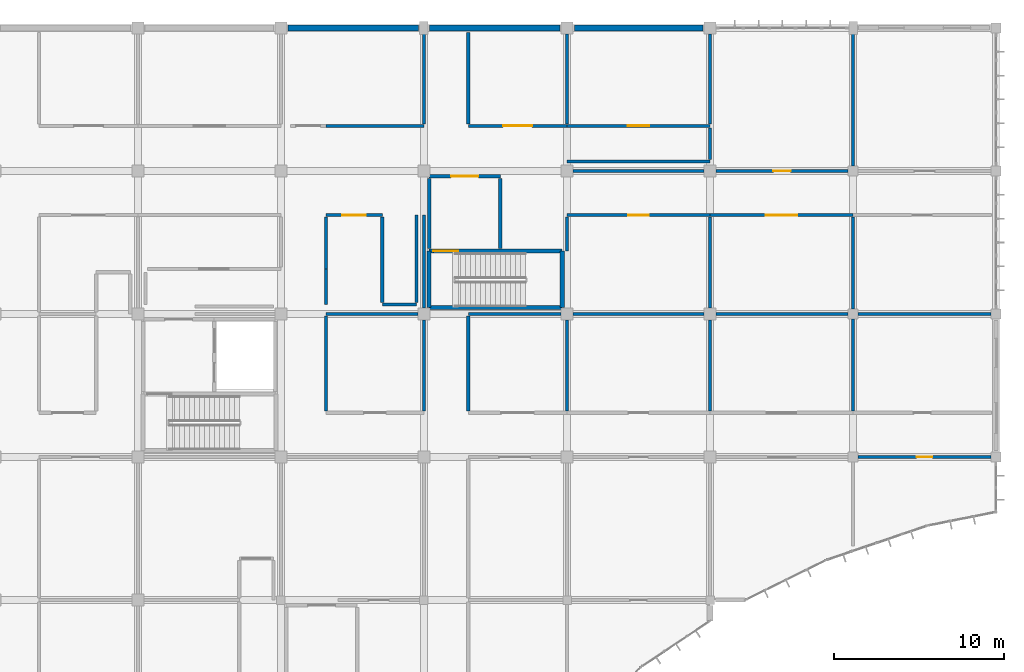
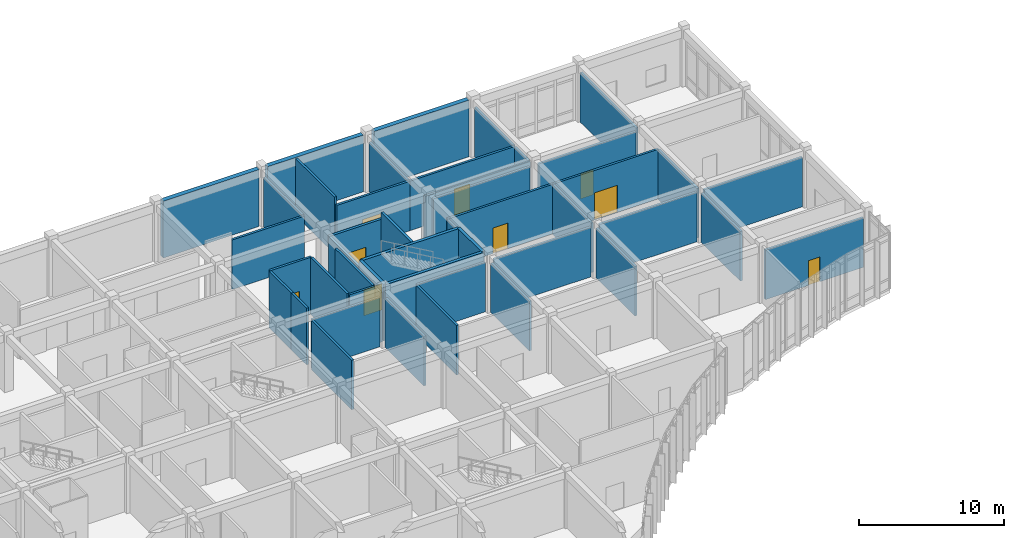
# One storey, part 111 of 134: 46 walls, 9 doors, 9 openings.
"""IFC4 building model written with IfcOpenShell, lengths in metres."""

from ifc_helpers import new_model, si_unit, direction, frame, frame_2d, origin, place, context, subcontext, project, spatial, rectangle, extrude, material, layer, layer_set, type_object, element, fill, save


model = new_model("IFC4")

# Units and contexts
model_context = context("Model", 3, precision=1e-05, world=origin(), true_north=direction((0.0, 1.0)))
body_context = subcontext(model_context, "Body", "Model", "MODEL_VIEW")
ifc_project = project(units=[si_unit("LENGTHUNIT", "METRE"), si_unit("AREAUNIT", "SQUARE_METRE"), si_unit("VOLUMEUNIT", "CUBIC_METRE"), si_unit("PLANEANGLEUNIT", "RADIAN"), si_unit("MASSUNIT", "GRAM", prefix="KILO")], contexts=[model_context])

# Site, building, storey
site_placement = place(None, origin())
site = spatial("IfcSite", under=ifc_project, at=site_placement, CompositionType="ELEMENT")
building_placement = place(site_placement, origin())
building = spatial("IfcBuilding", under=site, at=building_placement, Name="Bramfleet General Hospital", CompositionType="ELEMENT")
storey_placement = place(building_placement, frame((0.0, 0.0, 9.300048828125)))
storey = spatial("IfcBuildingStorey", under=building, at=storey_placement, Name="L02", CompositionType="ELEMENT", Elevation=9.300048828125)

# Walls
ifc_material_1 = material(Name="Concrete C35/45", Category="concrete")
ifc_layer_1 = layer(ifc_material_1, 0.360107421875, Name="WT-EW-02")
ifc_layer_set_1 = layer_set([ifc_layer_1], Name="Concrete C35/45")
wall_type_1 = type_object("IfcWallType", Name="WT-EW-02", PredefinedType="SOLIDWALL", material=ifc_layer_set_1)
for number, where, z_axis, x_axis, name in (
    (1, (126.425048828125, 117.60009765625, 0.0), (0.0, 0.0, 1.0), (1.0, 0.0, 0.0), "L02 North REI 90-M Party Wall 212"),
    (2, (134.72509765625, 117.60009765625, 0.0), (0.0, 0.0, 1.0), (1.0, 0.0, 0.0), "L02 North REI 90-M Party Wall 213"),
):
    element("IfcWall", number, at=place(storey_placement, frame(where, z_axis=z_axis, x_axis=x_axis)), inside=storey, type_object=wall_type_1, Name=name, PredefinedType="SOLIDWALL", context=body_context, shape_type="SweptSolid", body=[
        extrude(rectangle(XDim=7.64990234375, YDim=0.360107421875, at=frame_2d((3.824951171875, 0.0))), origin(), (0.0, 0.0, 1.0), 4.780029296875),
    ])
wall_1_placement = place(storey_placement, frame((143.22509765625, 117.60009765625, 0.0), z_axis=(0.0, 0.0, 1.0), x_axis=(1.0, 0.0, 0.0)))
element("IfcWall", 3, at=wall_1_placement, inside=storey, type_object=wall_type_1, Name="L02 North REI 90-M Party Wall 214", PredefinedType="SOLIDWALL", context=body_context, shape_type="SweptSolid", body=[
    extrude(rectangle(XDim=7.5498046875, YDim=0.360107421875, at=frame_2d((3.77490234375, 0.0))), origin(), (0.0, 0.0, 1.0), 4.780029296875),
])
ifc_layer_2 = layer(ifc_material_1, 0.205078125, Name="WT-IW-02")
ifc_layer_set_2 = layer_set([ifc_layer_2], Name="Concrete C35/45")
wall_type_2 = type_object("IfcWallType", Name="WT-IW-02", PredefinedType="PARTITIONING", material=ifc_layer_set_2)
wall_2_placement = place(storey_placement, frame((138.8798828125, 104.639892578125, 0.0), z_axis=(0.0, 0.0, 1.0), x_axis=(0.0, 1.0, 0.0)))
element("IfcWall", 4, at=wall_2_placement, inside=storey, type_object=wall_type_2, Name="L02 C9 Lobby East Shaft Wall", PredefinedType="PARTITIONING", context=body_context, shape_type="SweptSolid", body=[
    extrude(rectangle(XDim=4.1201171875, YDim=0.205078125, at=frame_2d((2.06005859375, 0.0))), origin(), (0.0, 0.0, 1.0), 4.77001953125),
])
wall_3_placement = place(storey_placement, frame((134.699951171875, 104.639892578125, 0.0), z_axis=(0.0, 0.0, 1.0), x_axis=(0.0, 1.0, 0.0)))
element("IfcWall", 5, at=wall_3_placement, inside=storey, type_object=wall_type_2, Name="L02 C9 Lobby West Compartment Wall", PredefinedType="PARTITIONING", context=body_context, shape_type="SweptSolid", body=[
    extrude(rectangle(XDim=4.1201171875, YDim=0.205078125, at=frame_2d((2.06005859375, 0.0))), origin(), (0.0, 0.0, 1.0), 4.169921875),
])

# Wall, opening, door
wall_4_placement = place(storey_placement, frame((134.699951171875, 108.8798828125, 0.0), z_axis=(0.0, 0.0, 1.0), x_axis=(1.0, 0.0, 0.0)))
wall_4 = element("IfcWall", 6, at=wall_4_placement, inside=storey, type_object=wall_type_2, Name="L02 C9 Lobby North Compartment Wall", PredefinedType="PARTITIONING", context=body_context, shape_type="SweptSolid", body=[
    extrude(rectangle(XDim=4.179931640625, YDim=0.205078125, at=frame_2d((2.08984375, 0.0))), origin(), (0.0, 0.0, 1.0), 4.169921875),
])
opening_1_placement = place(wall_4_placement, frame((1.2900390625, 0.0, 0.0)))
opening_1 = element("IfcOpeningElement", 7, at=opening_1_placement, cuts=wall_4, Name="Opening D0114", PredefinedType="OPENING", context=body_context, shape_type="SweptSolid", body=[
    extrude(rectangle(XDim=1.60009765625, YDim=2.25, at=frame_2d((0.800048828125, 1.125))), frame((0.0, 0.112548828125, 0.0), z_axis=(0.0, -1.0, 0.0), x_axis=(1.0, 0.0, 0.0)), (0.0, 0.0, 1.0), 0.22509765625),
])
ifc_material_2 = material(Name="Stainless steel and acoustic timber leaf", Category="steel")
door_type_1 = type_object("IfcDoorType", Name="DR-D-04", OperationType="NOTDEFINED", PredefinedType="DOOR", material=ifc_material_2)
door_1_placement = place(opening_1_placement, origin())
door_1 = element("IfcDoor", 8, at=door_1_placement, inside=storey, type_object=door_type_1, Name="L02 C9 Lobby Fire Door D0114", OperationType="DOUBLE_SWING_LEFT", OverallHeight=2.25, OverallWidth=1.60009765625, PredefinedType="DOOR", context=body_context, shape_type="SweptSolid", body=[
    extrude(rectangle(XDim=1.60009765625, YDim=2.25, at=frame_2d((0.800048828125, 1.125))), frame((0.0, 0.02490234375, 0.0), z_axis=(0.0, -1.0, 0.0), x_axis=(1.0, 0.0, 0.0)), (0.0, 0.0, 1.0), 0.050048828125),
])
fill(opening_1, door_1)

ifc_layer_3 = layer(ifc_material_1, 0.179931640625, Name="WT-IW-04")
ifc_layer_set_3 = layer_set([ifc_layer_3], Name="Concrete C35/45")
wall_type_3 = type_object("IfcWallType", Name="WT-IW-04", PredefinedType="PARTITIONING", material=ifc_layer_set_3)
wall_5_placement = place(storey_placement, frame((159.89501953125, 92.39990234375, 0.0), z_axis=(0.0, 0.0, 1.0), x_axis=(1.0, 0.0, 0.0)))
wall_5 = element("IfcWall", 9, at=wall_5_placement, inside=storey, type_object=wall_type_3, Name="L02 Interior Partition IW-L02-2094", PredefinedType="PARTITIONING", context=body_context, shape_type="SweptSolid", body=[
    extrude(rectangle(XDim=7.81005859375, YDim=0.179931640625, at=frame_2d((3.905029296875, 0.0))), origin(), (0.0, 0.0, 1.0), 4.169921875),
])
opening_2_placement = place(wall_5_placement, frame((3.445068359375, 0.0, 0.0)))
opening_2 = element("IfcOpeningElement", 10, at=opening_2_placement, cuts=wall_5, Name="Opening D1017", PredefinedType="OPENING", context=body_context, shape_type="SweptSolid", body=[
    extrude(rectangle(XDim=0.919921875, YDim=2.080078125, at=frame_2d((0.4599609375, 1.0400390625))), frame((0.0, 0.099853515625, 0.0), z_axis=(0.0, -1.0, 0.0), x_axis=(1.0, 0.0, 0.0)), (0.0, 0.0, 1.0), 0.199951171875),
])
door_type_2 = type_object("IfcDoorType", Name="DR-D-25", OperationType="NOTDEFINED", PredefinedType="DOOR", material=ifc_material_2)
door_2_placement = place(opening_2_placement, origin())
door_2 = element("IfcDoor", 11, at=door_2_placement, inside=storey, type_object=door_type_2, Name="Interventional Cardiology Cath Lab L02-1910 Door D1017", OperationType="SINGLE_SWING_RIGHT", OverallHeight=2.080078125, OverallWidth=0.919921875, PredefinedType="DOOR", context=body_context, shape_type="SweptSolid", body=[
    extrude(rectangle(XDim=0.919921875, YDim=2.080078125, at=frame_2d((0.4599609375, 1.0400390625))), frame((0.0, 0.02490234375, 0.0), z_axis=(0.0, -1.0, 0.0), x_axis=(1.0, 0.0, 0.0)), (0.0, 0.0, 1.0), 0.050048828125),
])
fill(opening_2, door_2)

# Walls
wall_6_placement = place(storey_placement, frame((128.64990234375, 100.800048828125, 0.0), z_axis=(0.0, 0.0, 1.0), x_axis=(1.0, 0.0, 0.0)))
element("IfcWall", 12, at=wall_6_placement, inside=storey, type_object=wall_type_3, Name="L02 Interior Partition IW-L02-2130", PredefinedType="PARTITIONING", context=body_context, shape_type="SweptSolid", body=[
    extrude(rectangle(XDim=5.405029296875, YDim=0.179931640625, at=frame_2d((2.70263671875, 0.0))), origin(), (0.0, 0.0, 1.0), 4.169921875),
])
wall_7_placement = place(storey_placement, frame((137.0, 100.800048828125, 0.0), z_axis=(0.0, 0.0, 1.0), x_axis=(1.0, 0.0, 0.0)))
element("IfcWall", 13, at=wall_7_placement, inside=storey, type_object=wall_type_3, Name="L02 Interior Partition IW-L02-2131", PredefinedType="PARTITIONING", context=body_context, shape_type="SweptSolid", body=[
    extrude(rectangle(XDim=5.455078125, YDim=0.179931640625, at=frame_2d((2.7275390625, 0.0))), origin(), (0.0, 0.0, 1.0), 4.169921875),
])
wall_8_placement = place(storey_placement, frame((143.14501953125, 100.800048828125, 0.0), z_axis=(0.0, 0.0, 1.0), x_axis=(1.0, 0.0, 0.0)))
element("IfcWall", 14, at=wall_8_placement, inside=storey, type_object=wall_type_3, Name="L02 Interior Partition IW-L02-2132", PredefinedType="PARTITIONING", context=body_context, shape_type="SweptSolid", body=[
    extrude(rectangle(XDim=7.7099609375, YDim=0.179931640625, at=frame_2d((3.85498046875, 0.0))), origin(), (0.0, 0.0, 1.0), 4.169921875),
])
wall_9_placement = place(storey_placement, frame((151.544921875, 100.800048828125, 0.0), z_axis=(0.0, 0.0, 1.0), x_axis=(1.0, 0.0, 0.0)))
element("IfcWall", 15, at=wall_9_placement, inside=storey, type_object=wall_type_3, Name="L02 Interior Partition IW-L02-2133", PredefinedType="PARTITIONING", context=body_context, shape_type="SweptSolid", body=[
    extrude(rectangle(XDim=7.760009765625, YDim=0.179931640625, at=frame_2d((3.8798828125, 0.0))), origin(), (0.0, 0.0, 1.0), 4.169921875),
])
wall_10_placement = place(storey_placement, frame((159.89501953125, 100.800048828125, 0.0), z_axis=(0.0, 0.0, 1.0), x_axis=(1.0, 0.0, 0.0)))
element("IfcWall", 16, at=wall_10_placement, inside=storey, type_object=wall_type_3, Name="L02 Interior Partition IW-L02-2134", PredefinedType="PARTITIONING", context=body_context, shape_type="SweptSolid", body=[
    extrude(rectangle(XDim=7.81005859375, YDim=0.179931640625, at=frame_2d((3.905029296875, 0.0))), origin(), (0.0, 0.0, 1.0), 4.169921875),
])
wall_11_placement = place(storey_placement, frame((131.949951171875, 101.35009765625, 0.0), z_axis=(0.0, 0.0, 1.0), x_axis=(1.0, 0.0, 0.0)))
element("IfcWall", 17, at=wall_11_placement, inside=storey, type_object=wall_type_3, Name="L02 Interior Partition IW-L02-2138", PredefinedType="PARTITIONING", context=body_context, shape_type="SweptSolid", body=[
    extrude(rectangle(XDim=2.0, YDim=0.179931640625, at=frame_2d((1.0, 0.0))), origin(), (0.0, 0.0, 1.0), 4.77001953125),
])

# Wall, opening, door
wall_12_placement = place(storey_placement, frame((128.64990234375, 106.60009765625, 0.0), z_axis=(0.0, 0.0, 1.0), x_axis=(1.0, 0.0, 0.0)))
wall_12 = element("IfcWall", 18, at=wall_12_placement, inside=storey, type_object=wall_type_3, Name="L02 Interior Partition IW-L02-2162", PredefinedType="PARTITIONING", context=body_context, shape_type="SweptSolid", body=[
    extrude(rectangle(XDim=3.300048828125, YDim=0.179931640625, at=frame_2d((1.64990234375, 0.0))), origin(), (0.0, 0.0, 1.0), 4.77001953125),
])
opening_3_placement = place(wall_12_placement, frame((0.9599609375, 0.0, 0.0)))
opening_3 = element("IfcOpeningElement", 19, at=opening_3_placement, cuts=wall_12, Name="Opening D0990", PredefinedType="OPENING", context=body_context, shape_type="SweptSolid", body=[
    extrude(rectangle(XDim=1.3798828125, YDim=2.219970703125, at=frame_2d((0.68994140625, 1.10986328125))), frame((0.0, 0.099853515625, 0.0), z_axis=(0.0, -1.0, 0.0), x_axis=(1.0, 0.0, 0.0)), (0.0, 0.0, 1.0), 0.199951171875),
])
door_type_3 = type_object("IfcDoorType", Name="DR-D-30", OperationType="NOTDEFINED", PredefinedType="DOOR", material=ifc_material_2)
door_3_placement = place(opening_3_placement, origin())
door_3 = element("IfcDoor", 20, at=door_3_placement, inside=storey, type_object=door_type_3, Name="Interventional Cardiology Cath Lab L02-1512 Door D0990", OperationType="SINGLE_SWING_LEFT", OverallHeight=2.219970703125, OverallWidth=1.3798828125, PredefinedType="DOOR", context=body_context, shape_type="SweptSolid", body=[
    extrude(rectangle(XDim=1.3798828125, YDim=2.219970703125, at=frame_2d((0.68994140625, 1.10986328125))), frame((0.0, 0.02490234375, 0.0), z_axis=(0.0, -1.0, 0.0), x_axis=(1.0, 0.0, 0.0)), (0.0, 0.0, 1.0), 0.050048828125),
])
fill(opening_3, door_3)

wall_13_placement = place(storey_placement, frame((142.800048828125, 106.60009765625, 0.0), z_axis=(0.0, 0.0, 1.0), x_axis=(1.0, 0.0, 0.0)))
wall_13 = element("IfcWall", 21, at=wall_13_placement, inside=storey, type_object=wall_type_3, Name="L02 Interior Partition IW-L02-2163", PredefinedType="PARTITIONING", context=body_context, shape_type="SweptSolid", body=[
    extrude(rectangle(XDim=8.39990234375, YDim=0.179931640625, at=frame_2d((4.199951171875, 0.0))), origin(), (0.0, 0.0, 1.0), 4.169921875),
])
opening_4_placement = place(wall_13_placement, frame((3.60009765625, 0.0, 0.0)))
opening_4 = element("IfcOpeningElement", 22, at=opening_4_placement, cuts=wall_13, Name="Opening D1005", PredefinedType="OPENING", context=body_context, shape_type="SweptSolid", body=[
    extrude(rectangle(XDim=1.199951171875, YDim=2.14990234375, at=frame_2d((0.60009765625, 1.074951171875))), frame((0.0, 0.099853515625, 0.0), z_axis=(0.0, -1.0, 0.0), x_axis=(1.0, 0.0, 0.0)), (0.0, 0.0, 1.0), 0.199951171875),
])
door_type_4 = type_object("IfcDoorType", Name="DR-D-13", OperationType="NOTDEFINED", PredefinedType="DOOR", material=ifc_material_2)
door_4_placement = place(opening_4_placement, origin())
door_4 = element("IfcDoor", 23, at=door_4_placement, inside=storey, type_object=door_type_4, Name="Interventional Cardiology Cath Lab L02-1712 Door D1005", OperationType="SINGLE_SWING_RIGHT", OverallHeight=2.14990234375, OverallWidth=1.199951171875, PredefinedType="DOOR", context=body_context, shape_type="SweptSolid", body=[
    extrude(rectangle(XDim=1.199951171875, YDim=2.14990234375, at=frame_2d((0.60009765625, 1.074951171875))), frame((0.0, 0.02490234375, 0.0), z_axis=(0.0, -1.0, 0.0), x_axis=(1.0, 0.0, 0.0)), (0.0, 0.0, 1.0), 0.050048828125),
])
fill(opening_4, door_4)

wall_14_placement = place(storey_placement, frame((151.199951171875, 106.60009765625, 0.0), z_axis=(0.0, 0.0, 1.0), x_axis=(1.0, 0.0, 0.0)))
wall_14 = element("IfcWall", 24, at=wall_14_placement, inside=storey, type_object=wall_type_3, Name="L02 Interior Partition IW-L02-2164", PredefinedType="PARTITIONING", context=body_context, shape_type="SweptSolid", body=[
    extrude(rectangle(XDim=8.400146484375, YDim=0.179931640625, at=frame_2d((4.2001953125, 0.0))), origin(), (0.0, 0.0, 1.0), 4.169921875),
])
opening_5_placement = place(wall_14_placement, frame((3.280029296875, 0.0, 0.0)))
opening_5 = element("IfcOpeningElement", 25, at=opening_5_placement, cuts=wall_14, Name="Opening D1012", PredefinedType="OPENING", context=body_context, shape_type="SweptSolid", body=[
    extrude(rectangle(XDim=1.840087890625, YDim=2.280029296875, at=frame_2d((0.919921875, 1.14013671875))), frame((0.0, 0.099853515625, 0.0), z_axis=(0.0, -1.0, 0.0), x_axis=(1.0, 0.0, 0.0)), (0.0, 0.0, 1.0), 0.199951171875),
])
door_type_5 = type_object("IfcDoorType", Name="DR-D-20", OperationType="NOTDEFINED", PredefinedType="DOOR", material=ifc_material_2)
door_5_placement = place(opening_5_placement, origin())
door_5 = element("IfcDoor", 26, at=door_5_placement, inside=storey, type_object=door_type_5, Name="Interventional Cardiology Cath Lab L02-1812 Door D1012", OperationType="DOUBLE_SWING_LEFT", OverallHeight=2.280029296875, OverallWidth=1.840087890625, PredefinedType="DOOR", context=body_context, shape_type="SweptSolid", body=[
    extrude(rectangle(XDim=1.840087890625, YDim=2.280029296875, at=frame_2d((0.919921875, 1.14013671875))), frame((0.0, 0.02490234375, 0.0), z_axis=(0.0, -1.0, 0.0), x_axis=(1.0, 0.0, 0.0)), (0.0, 0.0, 1.0), 0.050048828125),
])
fill(opening_5, door_5)

# Wall
wall_15_placement = place(storey_placement, frame((143.14501953125, 109.199951171875, 0.0), z_axis=(0.0, 0.0, 1.0), x_axis=(1.0, 0.0, 0.0)))
element("IfcWall", 27, at=wall_15_placement, inside=storey, type_object=wall_type_3, Name="L02 Interior Partition IW-L02-2178", PredefinedType="PARTITIONING", context=body_context, shape_type="SweptSolid", body=[
    extrude(rectangle(XDim=7.7099609375, YDim=0.179931640625, at=frame_2d((3.85498046875, 0.0))), origin(), (0.0, 0.0, 1.0), 4.169921875),
])

# Wall, opening, door
wall_16_placement = place(storey_placement, frame((151.544921875, 109.199951171875, 0.0), z_axis=(0.0, 0.0, 1.0), x_axis=(1.0, 0.0, 0.0)))
wall_16 = element("IfcWall", 28, at=wall_16_placement, inside=storey, type_object=wall_type_3, Name="L02 Interior Partition IW-L02-2179", PredefinedType="PARTITIONING", context=body_context, shape_type="SweptSolid", body=[
    extrude(rectangle(XDim=7.760009765625, YDim=0.179931640625, at=frame_2d((3.8798828125, 0.0))), origin(), (0.0, 0.0, 1.0), 4.169921875),
])
opening_6_placement = place(wall_16_placement, frame((3.3701171875, 0.0, 0.0)))
opening_6 = element("IfcOpeningElement", 29, at=opening_6_placement, cuts=wall_16, Name="Opening D1013", PredefinedType="OPENING", context=body_context, shape_type="SweptSolid", body=[
    extrude(rectangle(XDim=1.02001953125, YDim=2.1201171875, at=frame_2d((0.510009765625, 1.06005859375))), frame((0.0, 0.099853515625, 0.0), z_axis=(0.0, -1.0, 0.0), x_axis=(1.0, 0.0, 0.0)), (0.0, 0.0, 1.0), 0.199951171875),
])
door_type_6 = type_object("IfcDoorType", Name="DR-D-21", OperationType="NOTDEFINED", PredefinedType="DOOR", material=ifc_material_2)
door_6_placement = place(opening_6_placement, origin())
door_6 = element("IfcDoor", 30, at=door_6_placement, inside=storey, type_object=door_type_6, Name="Interventional Cardiology Cath Lab L02-1813 Door D1013", OperationType="SINGLE_SWING_RIGHT", OverallHeight=2.1201171875, OverallWidth=1.02001953125, PredefinedType="DOOR", context=body_context, shape_type="SweptSolid", body=[
    extrude(rectangle(XDim=1.02001953125, YDim=2.1201171875, at=frame_2d((0.510009765625, 1.06005859375))), frame((0.0, 0.02490234375, 0.0), z_axis=(0.0, -1.0, 0.0), x_axis=(1.0, 0.0, 0.0)), (0.0, 0.0, 1.0), 0.050048828125),
])
fill(opening_6, door_6)

# Walls
wall_17_placement = place(storey_placement, frame((142.800048828125, 109.75, 0.0), z_axis=(0.0, 0.0, 1.0), x_axis=(1.0, 0.0, 0.0)))
element("IfcWall", 31, at=wall_17_placement, inside=storey, type_object=wall_type_3, Name="L02 Interior Partition IW-L02-2185", PredefinedType="PARTITIONING", context=body_context, shape_type="SweptSolid", body=[
    extrude(rectangle(XDim=8.39990234375, YDim=0.179931640625, at=frame_2d((4.199951171875, 0.0))), origin(), (0.0, 0.0, 1.0), 4.169921875),
])
wall_18_placement = place(storey_placement, frame((128.64990234375, 111.85009765625, 0.0), z_axis=(0.0, 0.0, 1.0), x_axis=(1.0, 0.0, 0.0)))
element("IfcWall", 32, at=wall_18_placement, inside=storey, type_object=wall_type_3, Name="L02 Interior Partition IW-L02-2192", PredefinedType="PARTITIONING", context=body_context, shape_type="SweptSolid", body=[
    extrude(rectangle(XDim=5.75, YDim=0.179931640625, at=frame_2d((2.875, 0.0))), origin(), (0.0, 0.0, 1.0), 4.169921875),
])

# Wall, opening, door
wall_19_placement = place(storey_placement, frame((137.0, 111.85009765625, 0.0), z_axis=(0.0, 0.0, 1.0), x_axis=(1.0, 0.0, 0.0)))
wall_19 = element("IfcWall", 33, at=wall_19_placement, inside=storey, type_object=wall_type_3, Name="L02 Interior Partition IW-L02-2193", PredefinedType="PARTITIONING", context=body_context, shape_type="SweptSolid", body=[
    extrude(rectangle(XDim=5.800048828125, YDim=0.179931640625, at=frame_2d((2.89990234375, 0.0))), origin(), (0.0, 0.0, 1.0), 4.169921875),
])
opening_7_placement = place(wall_19_placement, frame((2.050048828125, 0.0, 0.0)))
opening_7 = element("IfcOpeningElement", 34, at=opening_7_placement, cuts=wall_19, Name="Opening D0999", PredefinedType="OPENING", context=body_context, shape_type="SweptSolid", body=[
    extrude(rectangle(XDim=1.699951171875, YDim=2.25, at=frame_2d((0.85009765625, 1.125))), frame((0.0, 0.099853515625, 0.0), z_axis=(0.0, -1.0, 0.0), x_axis=(1.0, 0.0, 0.0)), (0.0, 0.0, 1.0), 0.199951171875),
])
door_type_7 = type_object("IfcDoorType", Name="DR-D-07", OperationType="NOTDEFINED", PredefinedType="DOOR", material=ifc_material_2)
door_7_placement = place(opening_7_placement, origin())
door_7 = element("IfcDoor", 35, at=door_7_placement, inside=storey, type_object=door_type_7, Name="Interventional Cardiology Cath Lab L02-1613 Door D0999", OperationType="DOUBLE_SWING_RIGHT", OverallHeight=2.25, OverallWidth=1.699951171875, PredefinedType="DOOR", context=body_context, shape_type="SweptSolid", body=[
    extrude(rectangle(XDim=1.699951171875, YDim=2.25, at=frame_2d((0.85009765625, 1.125))), frame((0.0, 0.02490234375, 0.0), z_axis=(0.0, -1.0, 0.0), x_axis=(1.0, 0.0, 0.0)), (0.0, 0.0, 1.0), 0.050048828125),
])
fill(opening_7, door_7)

wall_20_placement = place(storey_placement, frame((142.800048828125, 111.85009765625, 0.0), z_axis=(0.0, 0.0, 1.0), x_axis=(1.0, 0.0, 0.0)))
wall_20 = element("IfcWall", 36, at=wall_20_placement, inside=storey, type_object=wall_type_3, Name="L02 Interior Partition IW-L02-2194", PredefinedType="PARTITIONING", context=body_context, shape_type="SweptSolid", body=[
    extrude(rectangle(XDim=8.39990234375, YDim=0.179931640625, at=frame_2d((4.199951171875, 0.0))), origin(), (0.0, 0.0, 1.0), 4.169921875),
])
opening_8_placement = place(wall_20_placement, frame((3.574951171875, 0.0, 0.0)))
opening_8 = element("IfcOpeningElement", 37, at=opening_8_placement, cuts=wall_20, Name="Opening D1006", PredefinedType="OPENING", context=body_context, shape_type="SweptSolid", body=[
    extrude(rectangle(XDim=1.25, YDim=2.199951171875, at=frame_2d((0.625, 1.10009765625))), frame((0.0, 0.099853515625, 0.0), z_axis=(0.0, -1.0, 0.0), x_axis=(1.0, 0.0, 0.0)), (0.0, 0.0, 1.0), 0.199951171875),
])
door_type_8 = type_object("IfcDoorType", Name="DR-D-14", OperationType="NOTDEFINED", PredefinedType="DOOR", material=ifc_material_2)
door_8_placement = place(opening_8_placement, origin())
door_8 = element("IfcDoor", 38, at=door_8_placement, inside=storey, type_object=door_type_8, Name="Interventional Cardiology Cath Lab L02-1713 Door D1006", OperationType="SINGLE_SWING_LEFT", OverallHeight=2.199951171875, OverallWidth=1.25, PredefinedType="DOOR", context=body_context, shape_type="SweptSolid", body=[
    extrude(rectangle(XDim=1.25, YDim=2.199951171875, at=frame_2d((0.625, 1.10009765625))), frame((0.0, 0.02490234375, 0.0), z_axis=(0.0, -1.0, 0.0), x_axis=(1.0, 0.0, 0.0)), (0.0, 0.0, 1.0), 0.050048828125),
])
fill(opening_8, door_8)

# Walls
wall_21_placement = place(storey_placement, frame((128.64990234375, 95.114990234375, 0.0), z_axis=(0.0, 0.0, 1.0), x_axis=(0.0, 1.0, 0.0)))
element("IfcWall", 39, at=wall_21_placement, inside=storey, type_object=wall_type_3, Name="L02 Interior Partition IW-L02-2409", PredefinedType="PARTITIONING", context=body_context, shape_type="SweptSolid", body=[
    extrude(rectangle(XDim=5.570068359375, YDim=0.179931640625, at=frame_2d((2.78515625, 0.0))), origin(), (0.0, 0.0, 1.0), 4.169921875),
])
wall_22_placement = place(storey_placement, frame((128.64990234375, 101.35009765625, 0.0), z_axis=(0.0, 0.0, 1.0), x_axis=(0.0, 1.0, 0.0)))
element("IfcWall", 40, at=wall_22_placement, inside=storey, type_object=wall_type_3, Name="L02 Interior Partition IW-L02-2410", PredefinedType="PARTITIONING", context=body_context, shape_type="SweptSolid", body=[
    extrude(rectangle(XDim=2.099853515625, YDim=0.179931640625, at=frame_2d((1.0498046875, 0.0))), origin(), (0.0, 0.0, 1.0), 4.77001953125),
])
wall_23_placement = place(storey_placement, frame((128.64990234375, 103.449951171875, 0.0), z_axis=(0.0, 0.0, 1.0), x_axis=(0.0, 1.0, 0.0)))
element("IfcWall", 41, at=wall_23_placement, inside=storey, type_object=wall_type_3, Name="L02 Interior Partition IW-L02-2411", PredefinedType="PARTITIONING", context=body_context, shape_type="SweptSolid", body=[
    extrude(rectangle(XDim=3.03515625, YDim=0.179931640625, at=frame_2d((1.517578125, 0.0))), origin(), (0.0, 0.0, 1.0), 4.77001953125),
])
wall_24_placement = place(storey_placement, frame((131.949951171875, 101.465087890625, 0.0), z_axis=(0.0, 0.0, 1.0), x_axis=(0.0, 1.0, 0.0)))
element("IfcWall", 42, at=wall_24_placement, inside=storey, type_object=wall_type_3, Name="L02 Interior Partition IW-L02-2412", PredefinedType="PARTITIONING", context=body_context, shape_type="SweptSolid", body=[
    extrude(rectangle(XDim=5.02001953125, YDim=0.179931640625, at=frame_2d((2.510009765625, 0.0))), origin(), (0.0, 0.0, 1.0), 4.77001953125),
])
wall_25_placement = place(storey_placement, frame((133.949951171875, 101.465087890625, 0.0), z_axis=(0.0, 0.0, 1.0), x_axis=(0.0, 1.0, 0.0)))
element("IfcWall", 43, at=wall_25_placement, inside=storey, type_object=wall_type_3, Name="L02 Interior Partition IW-L02-2413", PredefinedType="PARTITIONING", context=body_context, shape_type="SweptSolid", body=[
    extrude(rectangle(XDim=5.135009765625, YDim=0.179931640625, at=frame_2d((2.5673828125, 0.0))), origin(), (0.0, 0.0, 1.0), 4.77001953125),
])
wall_26_placement = place(storey_placement, frame((134.39990234375, 95.114990234375, 0.0), z_axis=(0.0, 0.0, 1.0), x_axis=(0.0, 1.0, 0.0)))
element("IfcWall", 44, at=wall_26_placement, inside=storey, type_object=wall_type_3, Name="L02 Interior Partition IW-L02-2419", PredefinedType="PARTITIONING", context=body_context, shape_type="SweptSolid", body=[
    extrude(rectangle(XDim=5.340087890625, YDim=0.179931640625, at=frame_2d((2.669921875, 0.0))), origin(), (0.0, 0.0, 1.0), 4.169921875),
])
wall_27_placement = place(storey_placement, frame((134.39990234375, 101.14501953125, 0.0), z_axis=(0.0, 0.0, 1.0), x_axis=(0.0, 1.0, 0.0)))
element("IfcWall", 45, at=wall_27_placement, inside=storey, type_object=wall_type_3, Name="L02 Interior Partition IW-L02-2420", PredefinedType="PARTITIONING", context=body_context, shape_type="SweptSolid", body=[
    extrude(rectangle(XDim=5.455078125, YDim=0.179931640625, at=frame_2d((2.7275390625, 0.0))), origin(), (0.0, 0.0, 1.0), 4.169921875),
])
wall_28_placement = place(storey_placement, frame((134.39990234375, 111.965087890625, 0.0), z_axis=(0.0, 0.0, 1.0), x_axis=(0.0, 1.0, 0.0)))
element("IfcWall", 46, at=wall_28_placement, inside=storey, type_object=wall_type_3, Name="L02 Interior Partition IW-L02-2421", PredefinedType="PARTITIONING", context=body_context, shape_type="SweptSolid", body=[
    extrude(rectangle(XDim=5.264892578125, YDim=0.179931640625, at=frame_2d((2.63232421875, 0.0))), origin(), (0.0, 0.0, 1.0), 4.169921875),
])
wall_29_placement = place(storey_placement, frame((137.0, 95.114990234375, 0.0), z_axis=(0.0, 0.0, 1.0), x_axis=(0.0, 1.0, 0.0)))
element("IfcWall", 47, at=wall_29_placement, inside=storey, type_object=wall_type_3, Name="L02 Interior Partition IW-L02-2427", PredefinedType="PARTITIONING", context=body_context, shape_type="SweptSolid", body=[
    extrude(rectangle(XDim=5.570068359375, YDim=0.179931640625, at=frame_2d((2.78515625, 0.0))), origin(), (0.0, 0.0, 1.0), 4.169921875),
])
wall_30_placement = place(storey_placement, frame((137.0, 111.965087890625, 0.0), z_axis=(0.0, 0.0, 1.0), x_axis=(0.0, 1.0, 0.0)))
element("IfcWall", 48, at=wall_30_placement, inside=storey, type_object=wall_type_3, Name="L02 Interior Partition IW-L02-2428", PredefinedType="PARTITIONING", context=body_context, shape_type="SweptSolid", body=[
    extrude(rectangle(XDim=5.35498046875, YDim=0.179931640625, at=frame_2d((2.677490234375, 0.0))), origin(), (0.0, 0.0, 1.0), 4.77001953125),
])
wall_31_placement = place(storey_placement, frame((142.800048828125, 95.114990234375, 0.0), z_axis=(0.0, 0.0, 1.0), x_axis=(0.0, 1.0, 0.0)))
element("IfcWall", 49, at=wall_31_placement, inside=storey, type_object=wall_type_3, Name="L02 Interior Partition IW-L02-2436", PredefinedType="PARTITIONING", context=body_context, shape_type="SweptSolid", body=[
    extrude(rectangle(XDim=5.340087890625, YDim=0.179931640625, at=frame_2d((2.669921875, 0.0))), origin(), (0.0, 0.0, 1.0), 4.169921875),
])
wall_32_placement = place(storey_placement, frame((142.800048828125, 104.5, 0.0), z_axis=(0.0, 0.0, 1.0), x_axis=(0.0, 1.0, 0.0)))
element("IfcWall", 50, at=wall_32_placement, inside=storey, type_object=wall_type_3, Name="L02 Interior Partition IW-L02-2437", PredefinedType="PARTITIONING", context=body_context, shape_type="SweptSolid", body=[
    extrude(rectangle(XDim=1.985107421875, YDim=0.179931640625, at=frame_2d((0.99267578125, 0.0))), origin(), (0.0, 0.0, 1.0), 4.169921875),
])
wall_33_placement = place(storey_placement, frame((142.800048828125, 111.965087890625, 0.0), z_axis=(0.0, 0.0, 1.0), x_axis=(0.0, 1.0, 0.0)))
element("IfcWall", 51, at=wall_33_placement, inside=storey, type_object=wall_type_3, Name="L02 Interior Partition IW-L02-2438", PredefinedType="PARTITIONING", context=body_context, shape_type="SweptSolid", body=[
    extrude(rectangle(XDim=5.289794921875, YDim=0.179931640625, at=frame_2d((2.64501953125, 0.0))), origin(), (0.0, 0.0, 1.0), 4.169921875),
])
for number, where, z_axis, x_axis, name in (
    (52, (151.199951171875, 95.114990234375, 0.0), (0.0, 0.0, 1.0), (0.0, 1.0, 0.0), "L02 Interior Partition IW-L02-2443"),
    (53, (151.199951171875, 101.14501953125, 0.0), (0.0, 0.0, 1.0), (0.0, 1.0, 0.0), "L02 Interior Partition IW-L02-2444"),
):
    element("IfcWall", number, at=place(storey_placement, frame(where, z_axis=z_axis, x_axis=x_axis)), inside=storey, type_object=wall_type_3, Name=name, PredefinedType="PARTITIONING", context=body_context, shape_type="SweptSolid", body=[
        extrude(rectangle(XDim=5.340087890625, YDim=0.179931640625, at=frame_2d((2.669921875, 0.0))), origin(), (0.0, 0.0, 1.0), 4.169921875),
    ])
wall_34_placement = place(storey_placement, frame((151.199951171875, 109.864990234375, 0.0), z_axis=(0.0, 0.0, 1.0), x_axis=(0.0, 1.0, 0.0)))
element("IfcWall", 54, at=wall_34_placement, inside=storey, type_object=wall_type_3, Name="L02 Interior Partition IW-L02-2445", PredefinedType="PARTITIONING", context=body_context, shape_type="SweptSolid", body=[
    extrude(rectangle(XDim=1.8701171875, YDim=0.179931640625, at=frame_2d((0.93505859375, 0.0))), origin(), (0.0, 0.0, 1.0), 4.169921875),
])
wall_35_placement = place(storey_placement, frame((151.199951171875, 111.965087890625, 0.0), z_axis=(0.0, 0.0, 1.0), x_axis=(0.0, 1.0, 0.0)))
element("IfcWall", 55, at=wall_35_placement, inside=storey, type_object=wall_type_3, Name="L02 Interior Partition IW-L02-2446", PredefinedType="PARTITIONING", context=body_context, shape_type="SweptSolid", body=[
    extrude(rectangle(XDim=5.289794921875, YDim=0.179931640625, at=frame_2d((2.64501953125, 0.0))), origin(), (0.0, 0.0, 1.0), 4.169921875),
])
wall_36_placement = place(storey_placement, frame((159.60009765625, 95.114990234375, 0.0), z_axis=(0.0, 0.0, 1.0), x_axis=(0.0, 1.0, 0.0)))
element("IfcWall", 56, at=wall_36_placement, inside=storey, type_object=wall_type_3, Name="L02 Interior Partition IW-L02-2451", PredefinedType="PARTITIONING", context=body_context, shape_type="SweptSolid", body=[
    extrude(rectangle(XDim=5.389892578125, YDim=0.179931640625, at=frame_2d((2.69482421875, 0.0))), origin(), (0.0, 0.0, 1.0), 4.169921875),
])
wall_37_placement = place(storey_placement, frame((159.60009765625, 101.094970703125, 0.0), z_axis=(0.0, 0.0, 1.0), x_axis=(0.0, 1.0, 0.0)))
element("IfcWall", 57, at=wall_37_placement, inside=storey, type_object=wall_type_3, Name="L02 Interior Partition IW-L02-2452", PredefinedType="PARTITIONING", context=body_context, shape_type="SweptSolid", body=[
    extrude(rectangle(XDim=5.39013671875, YDim=0.179931640625, at=frame_2d((2.695068359375, 0.0))), origin(), (0.0, 0.0, 1.0), 4.169921875),
])
wall_38_placement = place(storey_placement, frame((159.60009765625, 109.4951171875, 0.0), z_axis=(0.0, 0.0, 1.0), x_axis=(0.0, 1.0, 0.0)))
element("IfcWall", 58, at=wall_38_placement, inside=storey, type_object=wall_type_3, Name="L02 Interior Partition IW-L02-2453", PredefinedType="PARTITIONING", context=body_context, shape_type="SweptSolid", body=[
    extrude(rectangle(XDim=7.73486328125, YDim=0.179931640625, at=frame_2d((3.867431640625, 0.0))), origin(), (0.0, 0.0, 1.0), 4.169921875),
])
ifc_material_3 = material(Name="Concrete C40/50", Category="concrete")
ifc_layer_4 = layer(ifc_material_3, 0.239990234375, Name="WT-SW-240")
ifc_layer_set_4 = layer_set([ifc_layer_4], Name="Concrete C40/50")
wall_type_4 = type_object("IfcWallType", Name="WT-SW-240", PredefinedType="SHEAR", material=ifc_layer_set_4)
wall_39_placement = place(storey_placement, frame((134.699951171875, 101.179931640625, 0.0), z_axis=(0.0, 0.0, 1.0), x_axis=(1.0, 0.0, 0.0)))
element("IfcWall", 59, at=wall_39_placement, inside=storey, type_object=wall_type_4, Name="L02 C9 South Stair Shear Wall", PredefinedType="SHEAR", context=body_context, shape_type="SweptSolid", body=[
    extrude(rectangle(XDim=7.820068359375, YDim=0.239990234375, at=frame_2d((3.91015625, 0.0))), origin(), (0.0, 0.0, 1.0), 4.780029296875),
])
for number, where, z_axis, x_axis, name in (
    (60, (134.699951171875, 101.179931640625, 0.0), (0.0, 0.0, 1.0), (0.0, 1.0, 0.0), "L02 C9 West Stair Shear Wall"),
    (61, (142.52001953125, 101.179931640625, 0.0), (0.0, 0.0, 1.0), (0.0, 1.0, 0.0), "L02 C9 East Stair Shear Wall"),
):
    element("IfcWall", number, at=place(storey_placement, frame(where, z_axis=z_axis, x_axis=x_axis)), inside=storey, type_object=wall_type_4, Name=name, PredefinedType="SHEAR", context=body_context, shape_type="SweptSolid", body=[
        extrude(rectangle(XDim=3.320068359375, YDim=0.239990234375, at=frame_2d((1.66015625, 0.0))), origin(), (0.0, 0.0, 1.0), 4.780029296875),
    ])

# Wall, opening, door
wall_40_placement = place(storey_placement, frame((134.699951171875, 104.5, 0.0), z_axis=(0.0, 0.0, 1.0), x_axis=(1.0, 0.0, 0.0)))
wall_40 = element("IfcWall", 62, at=wall_40_placement, inside=storey, type_object=wall_type_4, Name="L02 C9 Stair-Lobby Shear Wall", PredefinedType="SHEAR", context=body_context, shape_type="SweptSolid", body=[
    extrude(rectangle(XDim=7.820068359375, YDim=0.239990234375, at=frame_2d((3.91015625, 0.0))), origin(), (0.0, 0.0, 1.0), 4.780029296875),
])
opening_9_placement = place(wall_40_placement, frame((0.25, 0.0, 0.0)))
opening_9 = element("IfcOpeningElement", 63, at=opening_9_placement, cuts=wall_40, Name="Opening D0113", PredefinedType="OPENING", context=body_context, shape_type="SweptSolid", body=[
    extrude(rectangle(XDim=1.449951171875, YDim=2.199951171875, at=frame_2d((0.72509765625, 1.10009765625))), frame((0.0, 0.1298828125, 0.0), z_axis=(0.0, -1.0, 0.0), x_axis=(1.0, 0.0, 0.0)), (0.0, 0.0, 1.0), 0.260009765625),
])
door_type_9 = type_object("IfcDoorType", Name="DR-D-03", OperationType="NOTDEFINED", PredefinedType="DOOR", material=ifc_material_2)
door_9_placement = place(opening_9_placement, origin())
door_9 = element("IfcDoor", 64, at=door_9_placement, inside=storey, type_object=door_type_9, Name="L02 C9 Escape Stair Fire Door D0113", OperationType="SINGLE_SWING_RIGHT", OverallHeight=2.199951171875, OverallWidth=1.449951171875, PredefinedType="DOOR", context=body_context, shape_type="SweptSolid", body=[
    extrude(rectangle(XDim=1.449951171875, YDim=2.199951171875, at=frame_2d((0.72509765625, 1.10009765625))), frame((0.0, 0.02490234375, 0.0), z_axis=(0.0, -1.0, 0.0), x_axis=(1.0, 0.0, 0.0)), (0.0, 0.0, 1.0), 0.050048828125),
])
fill(opening_9, door_9)

save(model, "model.ifc")
